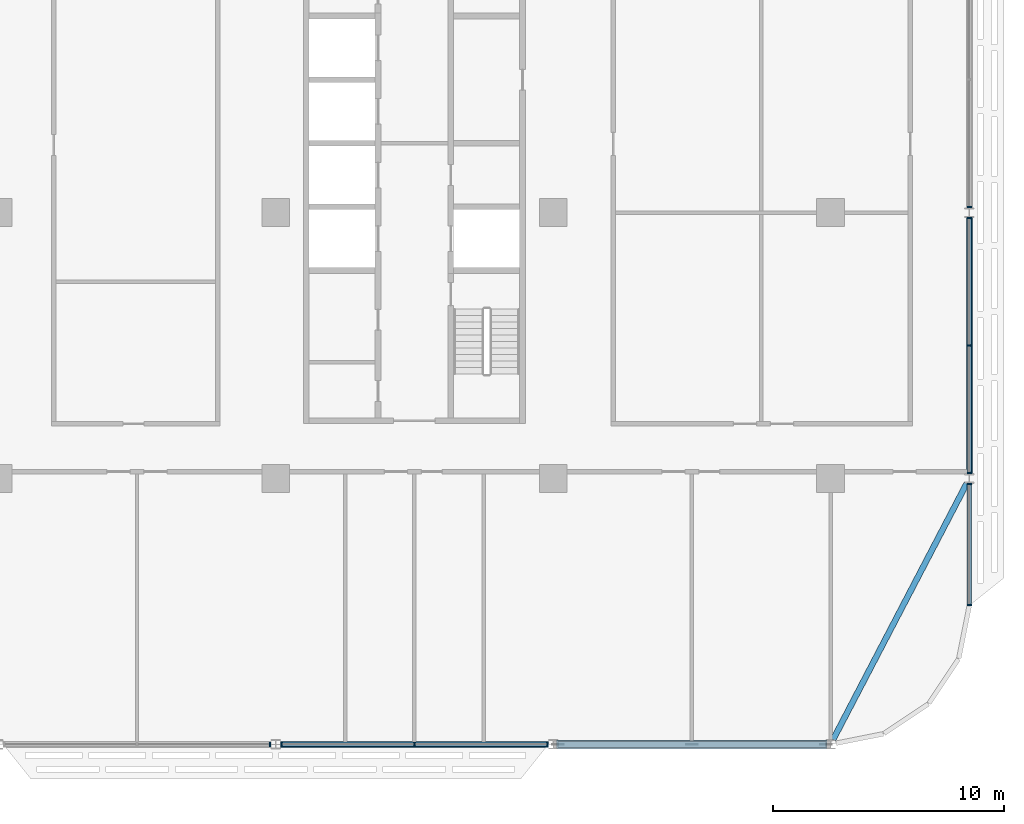
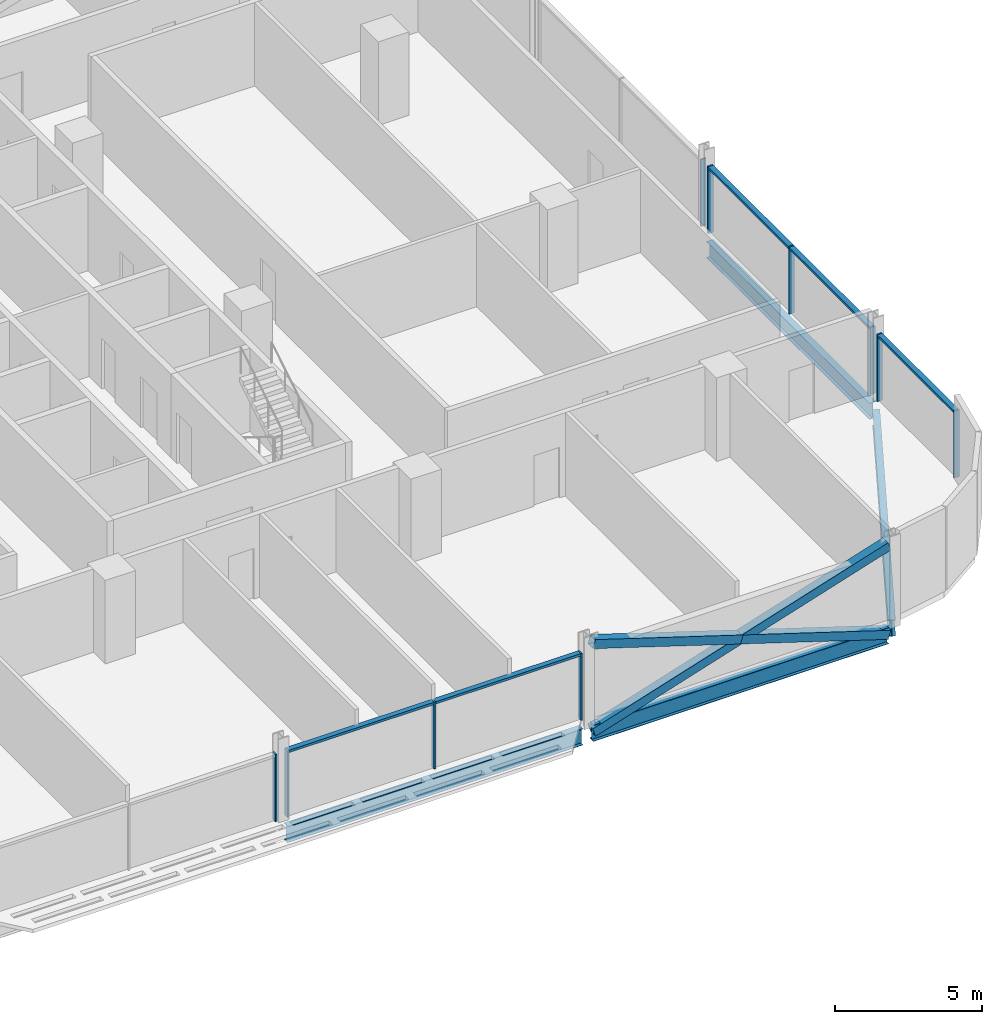
# One storey, part 8 of 27: 18 members, 4 beams, 5 elements without a shape of their own.
"""IFC4 building model written with IfcOpenShell, lengths in metres."""

from ifc_helpers import new_model, si_unit, direction, frame, origin, origin_2d, place, context, subcontext, project, spatial, rectangle, hollow_rectangle, i_section, extrude, material, material_profile, profile_set, type_object, element, aggregate, save


model = new_model("IFC4")

# Units and contexts
model_context = context("Model", 3, precision=1e-05, world=origin(), true_north=direction((0.0, 1.0)))
body_context = subcontext(model_context, "Body", "Model", "MODEL_VIEW")
ifc_project = project(units=[si_unit("LENGTHUNIT", "METRE"), si_unit("AREAUNIT", "SQUARE_METRE"), si_unit("VOLUMEUNIT", "CUBIC_METRE"), si_unit("PLANEANGLEUNIT", "RADIAN"), si_unit("MASSUNIT", "GRAM", prefix="KILO")], contexts=[model_context])

# Site, building, storey
site_placement = place(None, origin())
site = spatial("IfcSite", under=ifc_project, at=site_placement, CompositionType="ELEMENT")
building_placement = place(site_placement, origin())
building = spatial("IfcBuilding", under=site, at=building_placement, Name="Mahtab Terrace Research Tower", CompositionType="ELEMENT")
storey_placement = place(building_placement, frame((0.0, 0.0, 182.0)))
storey = spatial("IfcBuildingStorey", under=building, at=storey_placement, Name="L43", CompositionType="ELEMENT", Elevation=182.0)

# Members
ifc_material_1 = material(Name="Steel ASTM A500 Gr C", Category="steel")
ifc_material_profile_1 = material_profile(ifc_material_1, hollow_rectangle(XDim=0.355712890625, YDim=0.355712890625, WallThickness=0.015869140625, at=origin_2d()), Name="HSS14X14X5/8")
ifc_profile_set_1 = profile_set([ifc_material_profile_1], Name="Steel ASTM A500 Gr C")
member_type_1 = type_object("IfcMemberType", Name="HSS 14x14x5/8 brace XB141458", PredefinedType="BRACE", material=ifc_profile_set_1)
member_1_placement = place(storey_placement, frame((30.203125, -23.0, -0.61474609375), z_axis=(0.953341454971, 0.0, 0.301894137463), x_axis=(0.0, 1.0, 0.0)))
element("IfcMember", 1, at=member_1_placement, inside=storey, type_object=member_type_1, Name="Exoskeleton brace L43 18 a", PredefinedType="BRACE", context=body_context, shape_type="SweptSolid", body=[
    extrude(hollow_rectangle(XDim=0.355712890625, YDim=0.355712890625, WallThickness=0.015869140625, at=origin_2d()), origin(), (0.0, 0.0, 1.0), 12.1611328125),
])
for number, where, z_axis, x_axis, name in (
    (2, (41.796875, -23.0, -0.61474609375), (-0.953341454971, 0.0, 0.301894137463), (0.0, -1.0, 0.0), "Exoskeleton brace L43 18 b1"),
    (3, (36.0, -23.0, 1.220947265625), (-0.953341454971, 0.0, 0.301894137463), (0.0, -1.0, 0.0), "Exoskeleton brace L43 18 b2"),
):
    element("IfcMember", number, at=place(storey_placement, frame(where, z_axis=z_axis, x_axis=x_axis)), inside=storey, type_object=member_type_1, Name=name, PredefinedType="BRACE", context=body_context, shape_type="SweptSolid", body=[
        extrude(hollow_rectangle(XDim=0.355712890625, YDim=0.355712890625, WallThickness=0.015869140625, at=origin_2d()), origin(), (0.0, 0.0, 1.0), 6.08056640625),
    ])

# Curtain wall, member
ifc_material_2 = material(Name="Laboratory ribbon curtain wall")
curtain_wall_type = type_object("IfcCurtainWallType", Name="Laboratory ribbon curtain wall", PredefinedType="NOTDEFINED", material=ifc_material_2)
curtain_wall_1_placement = place(storey_placement, origin())
curtain_wall_1 = element("IfcCurtainWall", 4, at=curtain_wall_1_placement, inside=storey, type_object=curtain_wall_type, Name="EN.L43.13.27", PredefinedType="NOTDEFINED")
ifc_material_3 = material(Name="Natural anodised aluminium", Category="aluminium")
ifc_material_profile_2 = material_profile(ifc_material_3, rectangle(XDim=0.199951171875, YDim=0.06494140625, at=origin_2d()), Name="MULLION 65x200")
ifc_profile_set_2 = profile_set([ifc_material_profile_2], Name="Natural anodised aluminium")
member_type_2 = type_object("IfcMemberType", Name="Laboratory ribbon curtain wall mullion", PredefinedType="MULLION", material=ifc_profile_set_2)
member_2_placement = place(storey_placement, frame((17.759521484375, -23.0, 0.0), z_axis=(0.0, 0.0, 1.0), x_axis=(0.0, 1.0, 0.0)))
member_2 = element("IfcMember", 5, at=member_2_placement, type_object=member_type_2, Name="CWL-5 mullion 3", PredefinedType="MULLION", context=body_context, shape_type="SweptSolid", body=[
    extrude(rectangle(XDim=0.199951171875, YDim=0.06494140625, at=origin_2d()), origin(), (0.0, 0.0, 1.0), 2.78173828125),
])
aggregate(curtain_wall_1, [member_2])

# Curtain wall, members
curtain_wall_2_placement = place(storey_placement, origin())
curtain_wall_2 = element("IfcCurtainWall", 6, at=curtain_wall_2_placement, inside=storey, type_object=curtain_wall_type, Name="EN.L43.13.28", PredefinedType="NOTDEFINED")
member_3_placement = place(storey_placement, frame((18.240478515625, -23.0, 0.0), z_axis=(0.0, 0.0, 1.0), x_axis=(0.0, 1.0, 0.0)))
member_3 = element("IfcMember", 7, at=member_3_placement, type_object=member_type_2, Name="CWL-5 mullion 1", PredefinedType="MULLION", context=body_context, shape_type="SweptSolid", body=[
    extrude(rectangle(XDim=0.199951171875, YDim=0.06494140625, at=origin_2d()), origin(), (0.0, 0.0, 1.0), 2.78173828125),
])
member_4_placement = place(storey_placement, frame((24.0, -23.0, 0.0), z_axis=(0.0, 0.0, 1.0), x_axis=(0.0, 1.0, 0.0)))
member_4 = element("IfcMember", 8, at=member_4_placement, type_object=member_type_2, Name="CWL-5 mullion 2", PredefinedType="MULLION", context=body_context, shape_type="SweptSolid", body=[
    extrude(rectangle(XDim=0.199951171875, YDim=0.06494140625, at=origin_2d()), origin(), (0.0, 0.0, 1.0), 2.78173828125),
])
member_5_placement = place(storey_placement, frame((29.759521484375, -23.0, 0.0), z_axis=(0.0, 0.0, 1.0), x_axis=(0.0, 1.0, 0.0)))
member_5 = element("IfcMember", 9, at=member_5_placement, type_object=member_type_2, Name="CWL-5 mullion 3", PredefinedType="MULLION", context=body_context, shape_type="SweptSolid", body=[
    extrude(rectangle(XDim=0.199951171875, YDim=0.06494140625, at=origin_2d()), origin(), (0.0, 0.0, 1.0), 2.78173828125),
])

curtain_wall_3_placement = place(storey_placement, origin())
curtain_wall_3 = element("IfcCurtainWall", 10, at=curtain_wall_3_placement, inside=storey, type_object=curtain_wall_type, Name="EN.L43.18.34", PredefinedType="NOTDEFINED")
member_6_placement = place(storey_placement, frame((48.0, -16.967529296875, 0.0), z_axis=(0.0, 0.0, 1.0), x_axis=(-1.0, 0.0, 0.0)))
member_6 = element("IfcMember", 11, at=member_6_placement, type_object=member_type_2, Name="CWL-5 mullion 1", PredefinedType="MULLION", context=body_context, shape_type="SweptSolid", body=[
    extrude(rectangle(XDim=0.199951171875, YDim=0.06494140625, at=origin_2d()), origin(), (0.0, 0.0, 1.0), 2.78173828125),
])
member_7_placement = place(storey_placement, frame((48.0, -11.740478515625, 0.0), z_axis=(0.0, 0.0, 1.0), x_axis=(-1.0, 0.0, 0.0)))
member_7 = element("IfcMember", 12, at=member_7_placement, type_object=member_type_2, Name="CWL-5 mullion 2", PredefinedType="MULLION", context=body_context, shape_type="SweptSolid", body=[
    extrude(rectangle(XDim=0.199951171875, YDim=0.06494140625, at=origin_2d()), origin(), (0.0, 0.0, 1.0), 2.78173828125),
])

curtain_wall_4_placement = place(storey_placement, origin())
curtain_wall_4 = element("IfcCurtainWall", 13, at=curtain_wall_4_placement, inside=storey, type_object=curtain_wall_type, Name="EN.L43.18.35", PredefinedType="NOTDEFINED")
member_8_placement = place(storey_placement, frame((48.0, -11.259521484375, 0.0), z_axis=(0.0, 0.0, 1.0), x_axis=(-1.0, 0.0, 0.0)))
member_8 = element("IfcMember", 14, at=member_8_placement, type_object=member_type_2, Name="CWL-5 mullion 1", PredefinedType="MULLION", context=body_context, shape_type="SweptSolid", body=[
    extrude(rectangle(XDim=0.199951171875, YDim=0.06494140625, at=origin_2d()), origin(), (0.0, 0.0, 1.0), 2.78173828125),
])
member_9_placement = place(storey_placement, frame((48.0, -5.75, 0.0), z_axis=(0.0, 0.0, 1.0), x_axis=(-1.0, 0.0, 0.0)))
member_9 = element("IfcMember", 15, at=member_9_placement, type_object=member_type_2, Name="CWL-5 mullion 2", PredefinedType="MULLION", context=body_context, shape_type="SweptSolid", body=[
    extrude(rectangle(XDim=0.199951171875, YDim=0.06494140625, at=origin_2d()), origin(), (0.0, 0.0, 1.0), 2.78173828125),
])
member_10_placement = place(storey_placement, frame((48.0, -0.240478515625, 0.0), z_axis=(0.0, 0.0, 1.0), x_axis=(-1.0, 0.0, 0.0)))
member_10 = element("IfcMember", 16, at=member_10_placement, type_object=member_type_2, Name="CWL-5 mullion 3", PredefinedType="MULLION", context=body_context, shape_type="SweptSolid", body=[
    extrude(rectangle(XDim=0.199951171875, YDim=0.06494140625, at=origin_2d()), origin(), (0.0, 0.0, 1.0), 2.78173828125),
])

# Curtain wall, member
curtain_wall_5_placement = place(storey_placement, origin())
curtain_wall_5 = element("IfcCurtainWall", 17, at=curtain_wall_5_placement, inside=storey, type_object=curtain_wall_type, Name="EN.L43.18.36", PredefinedType="NOTDEFINED")
member_11_placement = place(storey_placement, frame((48.0, 0.240478515625, 0.0), z_axis=(0.0, 0.0, 1.0), x_axis=(-1.0, 0.0, 0.0)))
member_11 = element("IfcMember", 18, at=member_11_placement, type_object=member_type_2, Name="CWL-5 mullion 1", PredefinedType="MULLION", context=body_context, shape_type="SweptSolid", body=[
    extrude(rectangle(XDim=0.199951171875, YDim=0.06494140625, at=origin_2d()), origin(), (0.0, 0.0, 1.0), 2.78173828125),
])
aggregate(curtain_wall_5, [member_11])

# Member
ifc_material_profile_3 = material_profile(ifc_material_3, rectangle(XDim=0.199951171875, YDim=0.10009765625, at=origin_2d()), Name="TRANSOM 100x200")
ifc_profile_set_3 = profile_set([ifc_material_profile_3], Name="Natural anodised aluminium")
member_type_3 = type_object("IfcMemberType", Name="Laboratory ribbon curtain wall transom", PredefinedType="USERDEFINED", material=ifc_profile_set_3)
member_12_placement = place(storey_placement, frame((18.27294921875, -23.0, 2.731689453125), z_axis=(1.0, 0.0, 0.0), x_axis=(0.0, 1.0, 0.0)))
member_12 = element("IfcMember", 19, at=member_12_placement, type_object=member_type_3, Name="CWL-5 transom 1", ObjectType="TRANSOM", PredefinedType="USERDEFINED", context=body_context, shape_type="SweptSolid", body=[
    extrude(rectangle(XDim=0.199951171875, YDim=0.10009765625, at=origin_2d()), origin(), (0.0, 0.0, 1.0), 5.694580078125),
])

member_13_placement = place(storey_placement, frame((24.032470703125, -23.0, 2.731689453125), z_axis=(1.0, 0.0, 0.0), x_axis=(0.0, 1.0, 0.0)))
member_13 = element("IfcMember", 20, at=member_13_placement, type_object=member_type_3, Name="CWL-5 transom 2", ObjectType="TRANSOM", PredefinedType="USERDEFINED", context=body_context, shape_type="SweptSolid", body=[
    extrude(rectangle(XDim=0.199951171875, YDim=0.10009765625, at=origin_2d()), origin(), (0.0, 0.0, 1.0), 5.694580078125),
])

aggregate(curtain_wall_2, [member_3, member_4, member_5, member_12, member_13])

member_14_placement = place(storey_placement, frame((48.0, -16.93505859375, 2.731689453125), z_axis=(0.0, 1.0, 0.0), x_axis=(-1.0, 0.0, 0.0)))
member_14 = element("IfcMember", 21, at=member_14_placement, type_object=member_type_3, Name="CWL-5 transom 1", ObjectType="TRANSOM", PredefinedType="USERDEFINED", context=body_context, shape_type="SweptSolid", body=[
    extrude(rectangle(XDim=0.199951171875, YDim=0.10009765625, at=origin_2d()), origin(), (0.0, 0.0, 1.0), 5.162109375),
])

aggregate(curtain_wall_3, [member_6, member_7, member_14])

member_15_placement = place(storey_placement, frame((48.0, -11.22705078125, 2.731689453125), z_axis=(0.0, 1.0, 0.0), x_axis=(-1.0, 0.0, 0.0)))
member_15 = element("IfcMember", 22, at=member_15_placement, type_object=member_type_3, Name="CWL-5 transom 1", ObjectType="TRANSOM", PredefinedType="USERDEFINED", context=body_context, shape_type="SweptSolid", body=[
    extrude(rectangle(XDim=0.199951171875, YDim=0.10009765625, at=origin_2d()), origin(), (0.0, 0.0, 1.0), 5.444580078125),
])

member_16_placement = place(storey_placement, frame((48.0, -5.717529296875, 2.731689453125), z_axis=(0.0, 1.0, 0.0), x_axis=(-1.0, 0.0, 0.0)))
member_16 = element("IfcMember", 23, at=member_16_placement, type_object=member_type_3, Name="CWL-5 transom 2", ObjectType="TRANSOM", PredefinedType="USERDEFINED", context=body_context, shape_type="SweptSolid", body=[
    extrude(rectangle(XDim=0.199951171875, YDim=0.10009765625, at=origin_2d()), origin(), (0.0, 0.0, 1.0), 5.444580078125),
])

aggregate(curtain_wall_4, [member_8, member_9, member_10, member_15, member_16])

# Beams
ifc_material_4 = material(Name="Steel ASTM A992 Gr 50", Category="steel")
ifc_material_profile_4 = material_profile(ifc_material_4, i_section(OverallWidth=0.25390625, OverallDepth=0.67822265625, WebThickness=0.01171875, FlangeThickness=0.016357421875, at=origin_2d()), Name="W27X84")
ifc_profile_set_4 = profile_set([ifc_material_profile_4], Name="Steel ASTM A992 Gr 50")
beam_type = type_object("IfcBeamType", Name="W27x84 beam BS2784", PredefinedType="BEAM", material=ifc_profile_set_4)
for number, where, z_axis, x_axis, name in (
    (24, (18.203125, -23.0, -0.67919921875), (1.0, 0.0, 0.0), (0.0, 1.0, 0.0), "Spandrel beam L43 17"),
    (25, (30.203125, -23.0, -0.67919921875), (1.0, 0.0, 0.0), (0.0, 1.0, 0.0), "Spandrel beam L43 18"),
):
    element("IfcBeam", number, at=place(storey_placement, frame(where, z_axis=z_axis, x_axis=x_axis)), inside=storey, type_object=beam_type, Name=name, PredefinedType="BEAM", context=body_context, shape_type="SweptSolid", body=[
        extrude(i_section(OverallWidth=0.25390625, OverallDepth=0.67822265625, WebThickness=0.01171875, FlangeThickness=0.016357421875, at=origin_2d()), origin(), (0.0, 0.0, 1.0), 11.59375),
    ])
beam_1_placement = place(storey_placement, frame((42.108642578125, -22.791748046875, -0.67919921875), z_axis=(0.462567341525, 0.886584149731, 0.0), x_axis=(-0.886584149731, 0.462567341525, 0.0)))
element("IfcBeam", 26, at=beam_1_placement, inside=storey, type_object=beam_type, Name="Spandrel beam L43 19", PredefinedType="BEAM", context=body_context, shape_type="SweptSolid", body=[
    extrude(i_section(OverallWidth=0.25390625, OverallDepth=0.67822265625, WebThickness=0.01171875, FlangeThickness=0.016357421875, at=origin_2d()), origin(), (0.0, 0.0, 1.0), 12.50146484375),
])
beam_2_placement = place(storey_placement, frame((48.0, -11.291748046875, -0.67919921875), z_axis=(0.0, 1.0, 0.0), x_axis=(-1.0, 0.0, 0.0)))
element("IfcBeam", 27, at=beam_2_placement, inside=storey, type_object=beam_type, Name="Spandrel beam L43 20", PredefinedType="BEAM", context=body_context, shape_type="SweptSolid", body=[
    extrude(i_section(OverallWidth=0.25390625, OverallDepth=0.67822265625, WebThickness=0.01171875, FlangeThickness=0.016357421875, at=origin_2d()), origin(), (0.0, 0.0, 1.0), 11.08349609375),
])

save(model, "model.ifc")
